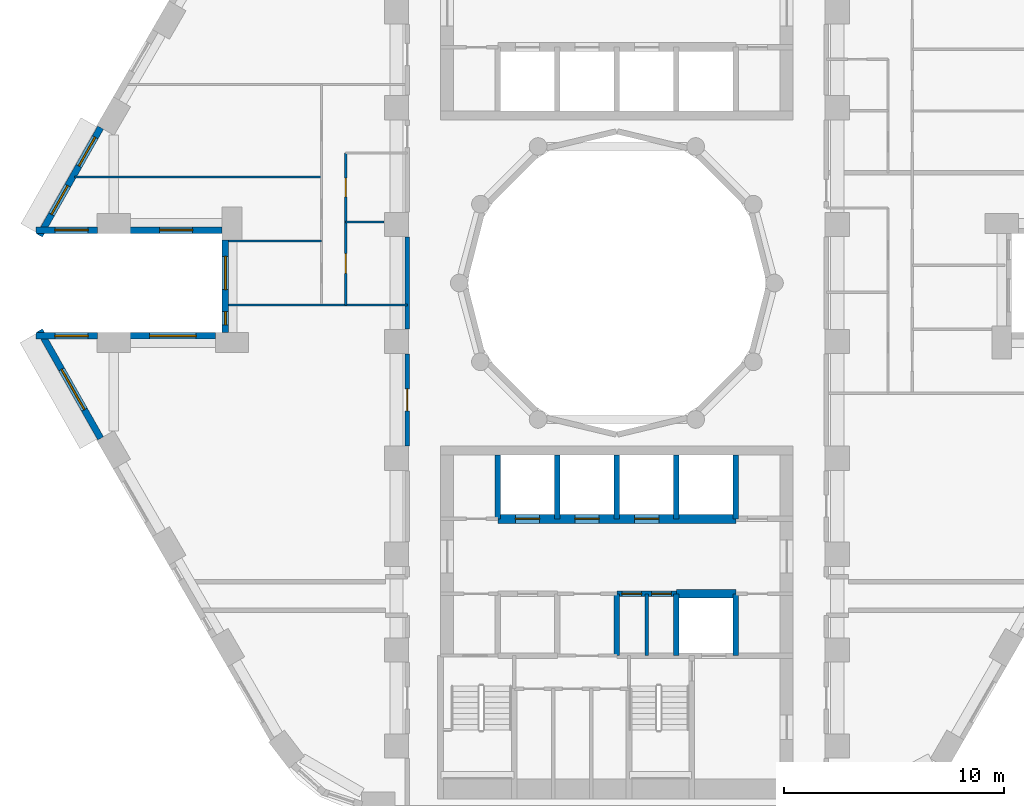
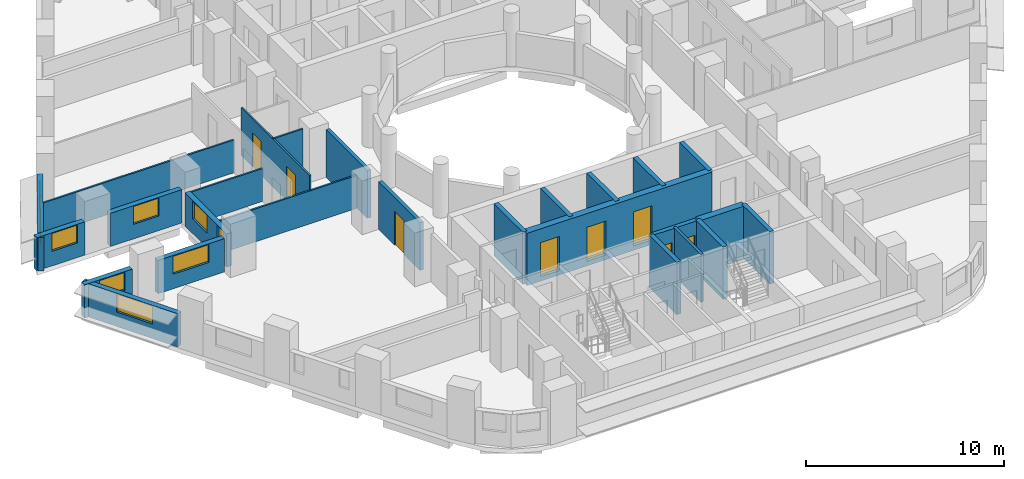
# One storey, part 4 of 13: 26 walls, 9 windows, 8 doors, 17 openings.
"""IFC4 building model written with IfcOpenShell, lengths in metres."""

from ifc_helpers import new_model, si_unit, direction, frame, frame_2d, origin, place, context, subcontext, project, spatial, rectangle, extrude, material, layer, layer_set, type_object, element, fill, save


model = new_model("IFC4")

# Units and contexts
model_context = context("Model", 3, precision=1e-05, world=origin(), true_north=direction((0.0, 1.0)))
body_context = subcontext(model_context, "Body", "Model", "MODEL_VIEW")
ifc_project = project(units=[si_unit("LENGTHUNIT", "METRE"), si_unit("AREAUNIT", "SQUARE_METRE"), si_unit("VOLUMEUNIT", "CUBIC_METRE"), si_unit("PLANEANGLEUNIT", "RADIAN"), si_unit("MASSUNIT", "GRAM", prefix="KILO")], contexts=[model_context])

# Site, building, storey
site_placement = place(None, origin())
site = spatial("IfcSite", under=ifc_project, at=site_placement, CompositionType="ELEMENT")
building_placement = place(site_placement, origin())
building = spatial("IfcBuilding", under=site, at=building_placement, Name="Nakaniwa Court", CompositionType="ELEMENT")
storey_placement = place(building_placement, frame((0.0, 0.0, 67.800048828125)))
storey = spatial("IfcBuildingStorey", under=building, at=storey_placement, Name="L18", CompositionType="ELEMENT", Elevation=67.800048828125)

# Wall, opening, door
ifc_material_1 = material(Name="Acoustic double stud partition")
ifc_layer_1 = layer(ifc_material_1, 0.199951171875)
ifc_layer_set_1 = layer_set([ifc_layer_1], Name="Acoustic double stud partition")
wall_type_1 = type_object("IfcWallType", Name="Acoustic double stud partition 200", PredefinedType="PARTITIONING", material=ifc_layer_set_1)
wall_1_placement = place(storey_placement, frame((70.5, 72.616943359375, 0.0), z_axis=(0.0, 0.0, 1.0), x_axis=(0.0, 1.0, 0.0)))
wall_1 = element("IfcWall", 1, at=wall_1_placement, inside=storey, type_object=wall_type_1, Name="Partition PW-105", PredefinedType="PARTITIONING", context=body_context, shape_type="SweptSolid", body=[
    extrude(rectangle(XDim=4.166015625, YDim=0.199951171875, at=frame_2d((2.0830078125, 0.0))), origin(), (0.0, 0.0, 1.0), 2.949951171875),
])
opening_1_placement = place(wall_1_placement, frame((1.5830078125, 0.0, 0.0)))
opening_1 = element("IfcOpeningElement", 2, at=opening_1_placement, cuts=wall_1, Name="Opening D-02-05", PredefinedType="OPENING", context=body_context, shape_type="SweptSolid", body=[
    extrude(rectangle(XDim=1.0, YDim=2.10009765625, at=frame_2d((0.5, 1.050048828125))), frame((0.0, 0.10986328125, 0.0), z_axis=(0.0, -1.0, 0.0), x_axis=(1.0, 0.0, 0.0)), (0.0, 0.0, 1.0), 0.219970703125),
])
ifc_material_2 = material(Name="Solid core timber door set, black veneer", Category="wood")
door_type_1 = type_object("IfcDoorType", Name="Internal door 1000", OperationType="NOTDEFINED", PredefinedType="DOOR", material=ifc_material_2)
door_1_placement = place(opening_1_placement, origin())
door_1 = element("IfcDoor", 3, at=door_1_placement, inside=storey, type_object=door_type_1, Name="Door D-02-05 L18-045", OperationType="SINGLE_SWING_RIGHT", OverallHeight=2.10009765625, OverallWidth=1.0, PredefinedType="DOOR", context=body_context, shape_type="SweptSolid", body=[
    extrude(rectangle(XDim=1.0, YDim=2.10009765625, at=frame_2d((0.5, 1.050048828125))), frame((0.0, 0.02490234375, 0.0), z_axis=(0.0, -1.0, 0.0), x_axis=(1.0, 0.0, 0.0)), (0.0, 0.0, 1.0), 0.050048828125),
])
fill(opening_1, door_1)

# Wall
wall_2_placement = place(storey_placement, frame((70.5, 77.9169921875, 0.0), z_axis=(0.0, 0.0, 1.0), x_axis=(0.0, 1.0, 0.0)))
element("IfcWall", 4, at=wall_2_placement, inside=storey, type_object=wall_type_1, Name="Partition PW-106", PredefinedType="PARTITIONING", context=body_context, shape_type="SweptSolid", body=[
    extrude(rectangle(XDim=4.166015625, YDim=0.199951171875, at=frame_2d((2.0830078125, 0.0))), origin(), (0.0, 0.0, 1.0), 2.949951171875),
])

# Wall, openings, windows
ifc_material_3 = material(Name="Charcoal ceramic cladding")
ifc_layer_2 = layer(ifc_material_3, 0.02, Name="Ceramic cladding")
ifc_material_4 = material(Name="Ventilated air cavity")
ifc_layer_3 = layer(ifc_material_4, 0.04, ventilated=True, Name="Ventilated cavity")
ifc_material_5 = material(Name="Mineral wool insulation")
ifc_layer_4 = layer(ifc_material_5, 0.1, Name="Insulation")
ifc_material_6 = material(Name="Cement bonded sheathing board")
ifc_layer_5 = layer(ifc_material_6, 0.012, Name="Sheathing")
ifc_material_7 = material(Name="Cold-formed galvanised stud frame with mineral wool infill")
ifc_layer_6 = layer(ifc_material_7, 0.1, Name="Stud frame")
ifc_material_8 = material(Name="Fire-rated gypsum plasterboard lining")
ifc_layer_7 = layer(ifc_material_8, 0.028, Name="Lining")
ifc_layer_set_2 = layer_set([ifc_layer_2, ifc_layer_3, ifc_layer_4, ifc_layer_5, ifc_layer_6, ifc_layer_7], Name="Charcoal ceramic faced external wall system")
wall_type_2 = type_object("IfcWallType", Name="Black ceramic faced external wall 300", PredefinedType="SOLIDWALL", material=ifc_layer_set_2)
wall_3_placement = place(storey_placement, frame((56.584228515625, 87.050537109375, 0.0), z_axis=(0.0, 0.0, 1.0), x_axis=(-0.492363204642, -0.870389840655, 0.0)))
wall_3 = element("IfcWall", 5, at=wall_3_placement, inside=storey, type_object=wall_type_2, Name="L18 external wall 14", PredefinedType="SOLIDWALL", context=body_context, shape_type="SweptSolid", body=[
    extrude(rectangle(XDim=5.62646484375, YDim=0.300048828125, at=frame_2d((2.813232421875, 0.0))), origin(), (0.0, 0.0, 1.0), 2.050048828125),
])
opening_2_placement = place(wall_3_placement, frame((0.50390625, 0.0, 0.89990234375)))
opening_2 = element("IfcOpeningElement", 6, at=opening_2_placement, cuts=wall_3, Name="Opening W5.14", PredefinedType="OPENING", context=body_context, shape_type="SweptSolid", body=[
    extrude(rectangle(XDim=1.5, YDim=1.10009765625, at=frame_2d((0.75, 0.550048828125))), frame((0.0, 0.159912109375, 0.0), z_axis=(0.0, -1.0, 0.0), x_axis=(1.0, 0.0, 0.0)), (0.0, 0.0, 1.0), 0.320068359375),
])
opening_3_placement = place(wall_3_placement, frame((3.0283203125, 0.0, 0.89990234375)))
opening_3 = element("IfcOpeningElement", 7, at=opening_3_placement, cuts=wall_3, Name="Opening W5.15", PredefinedType="OPENING", context=body_context, shape_type="SweptSolid", body=[
    extrude(rectangle(XDim=1.5, YDim=1.10009765625, at=frame_2d((0.75, 0.550048828125))), frame((0.0, 0.159912109375, 0.0), z_axis=(0.0, -1.0, 0.0), x_axis=(1.0, 0.0, 0.0)), (0.0, 0.0, 1.0), 0.320068359375),
])
ifc_material_9 = material(Name="Black anodised aluminium frame with dark low-E laminated double glazing", Category="aluminium")
window_type_1 = type_object("IfcWindowType", Name="Dark glass window 1500x1100 sill 900", PartitioningType="SINGLE_PANEL", PredefinedType="WINDOW", material=ifc_material_9)
window_1_placement = place(opening_2_placement, origin())
window_1 = element("IfcWindow", 8, at=window_1_placement, inside=storey, type_object=window_type_1, Name="L18 living window 14-0", OverallHeight=1.10009765625, OverallWidth=1.5, PartitioningType="SINGLE_PANEL", PredefinedType="WINDOW", context=body_context, shape_type="SweptSolid", body=[
    extrude(rectangle(XDim=1.5, YDim=1.10009765625, at=frame_2d((0.75, 0.550048828125))), frame((0.0, 0.030029296875, 0.0), z_axis=(0.0, -1.0, 0.0), x_axis=(1.0, 0.0, 0.0)), (0.0, 0.0, 1.0), 0.06005859375),
])
fill(opening_2, window_1)
window_2_placement = place(opening_3_placement, origin())
window_2 = element("IfcWindow", 9, at=window_2_placement, inside=storey, type_object=window_type_1, Name="L18 bedroom window 14-1", OverallHeight=1.10009765625, OverallWidth=1.5, PartitioningType="SINGLE_PANEL", PredefinedType="WINDOW", context=body_context, shape_type="SweptSolid", body=[
    extrude(rectangle(XDim=1.5, YDim=1.10009765625, at=frame_2d((0.75, 0.550048828125))), frame((0.0, 0.030029296875, 0.0), z_axis=(0.0, -1.0, 0.0), x_axis=(1.0, 0.0, 0.0)), (0.0, 0.0, 1.0), 0.06005859375),
])
fill(opening_3, window_2)

# Wall, opening, window
wall_4_placement = place(storey_placement, frame((53.643310546875, 82.39990234375, 0.0), z_axis=(0.0, 0.0, 1.0), x_axis=(1.0, 0.0, 0.0)))
wall_4 = element("IfcWall", 10, at=wall_4_placement, inside=storey, type_object=wall_type_2, Name="L18 external wall 15", PredefinedType="SOLIDWALL", context=body_context, shape_type="SweptSolid", body=[
    extrude(rectangle(XDim=2.787841796875, YDim=0.300048828125, at=frame_2d((1.39404296875, 0.0))), origin(), (0.0, 0.0, 1.0), 2.050048828125),
])
opening_4_placement = place(wall_4_placement, frame((0.868896484375, 0.0, 0.89990234375)))
opening_4 = element("IfcOpeningElement", 11, at=opening_4_placement, cuts=wall_4, Name="Opening W5.16", PredefinedType="OPENING", context=body_context, shape_type="SweptSolid", body=[
    extrude(rectangle(XDim=1.5, YDim=1.10009765625, at=frame_2d((0.75, 0.550048828125))), frame((0.0, 0.159912109375, 0.0), z_axis=(0.0, -1.0, 0.0), x_axis=(1.0, 0.0, 0.0)), (0.0, 0.0, 1.0), 0.320068359375),
])
window_3_placement = place(opening_4_placement, origin())
window_3 = element("IfcWindow", 12, at=window_3_placement, inside=storey, type_object=window_type_1, Name="L18 bedroom window 15-0", OverallHeight=1.10009765625, OverallWidth=1.5, PartitioningType="SINGLE_PANEL", PredefinedType="WINDOW", context=body_context, shape_type="SweptSolid", body=[
    extrude(rectangle(XDim=1.5, YDim=1.10009765625, at=frame_2d((0.75, 0.550048828125))), frame((0.0, 0.030029296875, 0.0), z_axis=(0.0, -1.0, 0.0), x_axis=(1.0, 0.0, 0.0)), (0.0, 0.0, 1.0), 0.06005859375),
])
fill(opening_4, window_3)

wall_5_placement = place(storey_placement, frame((57.923095703125, 82.39990234375, 0.0), z_axis=(0.0, 0.0, 1.0), x_axis=(1.0, 0.0, 0.0)))
wall_5 = element("IfcWall", 13, at=wall_5_placement, inside=storey, type_object=wall_type_2, Name="L18 external wall 16", PredefinedType="SOLIDWALL", context=body_context, shape_type="SweptSolid", body=[
    extrude(rectangle(XDim=4.172607421875, YDim=0.300048828125, at=frame_2d((2.08642578125, 0.0))), origin(), (0.0, 0.0, 1.0), 2.050048828125),
])
opening_5_placement = place(wall_5_placement, frame((1.336181640625, 0.0, 0.89990234375)))
opening_5 = element("IfcOpeningElement", 14, at=opening_5_placement, cuts=wall_5, Name="Opening W5.17", PredefinedType="OPENING", context=body_context, shape_type="SweptSolid", body=[
    extrude(rectangle(XDim=1.5, YDim=1.10009765625, at=frame_2d((0.75, 0.550048828125))), frame((0.0, 0.159912109375, 0.0), z_axis=(0.0, -1.0, 0.0), x_axis=(1.0, 0.0, 0.0)), (0.0, 0.0, 1.0), 0.320068359375),
])
window_4_placement = place(opening_5_placement, origin())
window_4 = element("IfcWindow", 15, at=window_4_placement, inside=storey, type_object=window_type_1, Name="L18 bedroom window 16-0", OverallHeight=1.10009765625, OverallWidth=1.5, PartitioningType="SINGLE_PANEL", PredefinedType="WINDOW", context=body_context, shape_type="SweptSolid", body=[
    extrude(rectangle(XDim=1.5, YDim=1.10009765625, at=frame_2d((0.75, 0.550048828125))), frame((0.0, 0.030029296875, 0.0), z_axis=(0.0, -1.0, 0.0), x_axis=(1.0, 0.0, 0.0)), (0.0, 0.0, 1.0), 0.06005859375),
])
fill(opening_5, window_4)

# Wall, openings, windows
wall_6_placement = place(storey_placement, frame((62.24169921875, 81.9541015625, 0.0), z_axis=(0.0, 0.0, 1.0), x_axis=(0.0, -1.0, 0.0)))
wall_6 = element("IfcWall", 16, at=wall_6_placement, inside=storey, type_object=wall_type_2, Name="L18 external wall 17", PredefinedType="SOLIDWALL", context=body_context, shape_type="SweptSolid", body=[
    extrude(rectangle(XDim=4.2080078125, YDim=0.300048828125, at=frame_2d((2.10400390625, 0.0))), origin(), (0.0, 0.0, 1.0), 2.050048828125),
])
opening_6_placement = place(wall_6_placement, frame((0.75244140625, 0.0, 0.89990234375)))
opening_6 = element("IfcOpeningElement", 17, at=opening_6_placement, cuts=wall_6, Name="Opening W5.18", PredefinedType="OPENING", context=body_context, shape_type="SweptSolid", body=[
    extrude(rectangle(XDim=1.5, YDim=1.10009765625, at=frame_2d((0.75, 0.550048828125))), frame((0.0, 0.159912109375, 0.0), z_axis=(0.0, -1.0, 0.0), x_axis=(1.0, 0.0, 0.0)), (0.0, 0.0, 1.0), 0.320068359375),
])
opening_7_placement = place(wall_6_placement, frame((3.256103515625, 0.0, 0.89990234375)))
opening_7 = element("IfcOpeningElement", 18, at=opening_7_placement, cuts=wall_6, Name="Opening W8.19", PredefinedType="OPENING", context=body_context, shape_type="SweptSolid", body=[
    extrude(rectangle(XDim=0.60009765625, YDim=1.10009765625, at=frame_2d((0.300048828125, 0.550048828125))), frame((0.0, 0.159912109375, 0.0), z_axis=(0.0, -1.0, 0.0), x_axis=(1.0, 0.0, 0.0)), (0.0, 0.0, 1.0), 0.320068359375),
])
window_5_placement = place(opening_6_placement, origin())
window_5 = element("IfcWindow", 19, at=window_5_placement, inside=storey, type_object=window_type_1, Name="L18 bedroom window 17-0", OverallHeight=1.10009765625, OverallWidth=1.5, PartitioningType="SINGLE_PANEL", PredefinedType="WINDOW", context=body_context, shape_type="SweptSolid", body=[
    extrude(rectangle(XDim=1.5, YDim=1.10009765625, at=frame_2d((0.75, 0.550048828125))), frame((0.0, 0.030029296875, 0.0), z_axis=(0.0, -1.0, 0.0), x_axis=(1.0, 0.0, 0.0)), (0.0, 0.0, 1.0), 0.06005859375),
])
fill(opening_6, window_5)
window_type_2 = type_object("IfcWindowType", Name="Dark glass window 600x1100 sill 900", PartitioningType="SINGLE_PANEL", PredefinedType="WINDOW", material=ifc_material_9)
window_6_placement = place(opening_7_placement, origin())
window_6 = element("IfcWindow", 20, at=window_6_placement, inside=storey, type_object=window_type_2, Name="L18 habitable room window 17-1", OverallHeight=1.10009765625, OverallWidth=0.60009765625, PartitioningType="SINGLE_PANEL", PredefinedType="WINDOW", context=body_context, shape_type="SweptSolid", body=[
    extrude(rectangle(XDim=0.60009765625, YDim=1.10009765625, at=frame_2d((0.300048828125, 0.550048828125))), frame((0.0, 0.030029296875, 0.0), z_axis=(0.0, -1.0, 0.0), x_axis=(1.0, 0.0, 0.0)), (0.0, 0.0, 1.0), 0.06005859375),
])
fill(opening_7, window_6)

# Wall, opening, window
wall_7_placement = place(storey_placement, frame((61.795654296875, 77.60009765625, 0.0), z_axis=(0.0, 0.0, 1.0), x_axis=(-1.0, 0.0, 0.0)))
wall_7 = element("IfcWall", 21, at=wall_7_placement, inside=storey, type_object=wall_type_2, Name="L18 external wall 18", PredefinedType="SOLIDWALL", context=body_context, shape_type="SweptSolid", body=[
    extrude(rectangle(XDim=3.87255859375, YDim=0.300048828125, at=frame_2d((1.936279296875, 0.0))), origin(), (0.0, 0.0, 1.0), 2.050048828125),
])
opening_8_placement = place(wall_7_placement, frame((0.88623046875, 0.0, 0.89990234375)))
opening_8 = element("IfcOpeningElement", 22, at=opening_8_placement, cuts=wall_7, Name="Opening W7.20", PredefinedType="OPENING", context=body_context, shape_type="SweptSolid", body=[
    extrude(rectangle(XDim=2.10009765625, YDim=1.10009765625, at=frame_2d((1.050048828125, 0.550048828125))), frame((0.0, 0.159912109375, 0.0), z_axis=(0.0, -1.0, 0.0), x_axis=(1.0, 0.0, 0.0)), (0.0, 0.0, 1.0), 0.320068359375),
])
window_type_3 = type_object("IfcWindowType", Name="Dark glass window 2100x1100 sill 900", PartitioningType="SINGLE_PANEL", PredefinedType="WINDOW", material=ifc_material_9)
window_7_placement = place(opening_8_placement, origin())
window_7 = element("IfcWindow", 23, at=window_7_placement, inside=storey, type_object=window_type_3, Name="L18 habitable room window 18-0", OverallHeight=1.10009765625, OverallWidth=2.10009765625, PartitioningType="SINGLE_PANEL", PredefinedType="WINDOW", context=body_context, shape_type="SweptSolid", body=[
    extrude(rectangle(XDim=2.10009765625, YDim=1.10009765625, at=frame_2d((1.050048828125, 0.550048828125))), frame((0.0, 0.030029296875, 0.0), z_axis=(0.0, -1.0, 0.0), x_axis=(1.0, 0.0, 0.0)), (0.0, 0.0, 1.0), 0.06005859375),
])
fill(opening_8, window_7)

wall_8_placement = place(storey_placement, frame((56.43115234375, 77.60009765625, 0.0), z_axis=(0.0, 0.0, 1.0), x_axis=(-1.0, 0.0, 0.0)))
wall_8 = element("IfcWall", 24, at=wall_8_placement, inside=storey, type_object=wall_type_2, Name="L18 external wall 19", PredefinedType="SOLIDWALL", context=body_context, shape_type="SweptSolid", body=[
    extrude(rectangle(XDim=2.787841796875, YDim=0.300048828125, at=frame_2d((1.39404296875, 0.0))), origin(), (0.0, 0.0, 1.0), 2.050048828125),
])
opening_9_placement = place(wall_8_placement, frame((0.4189453125, 0.0, 0.89990234375)))
opening_9 = element("IfcOpeningElement", 25, at=opening_9_placement, cuts=wall_8, Name="Opening W5.21", PredefinedType="OPENING", context=body_context, shape_type="SweptSolid", body=[
    extrude(rectangle(XDim=1.5, YDim=1.10009765625, at=frame_2d((0.75, 0.550048828125))), frame((0.0, 0.159912109375, 0.0), z_axis=(0.0, -1.0, 0.0), x_axis=(1.0, 0.0, 0.0)), (0.0, 0.0, 1.0), 0.320068359375),
])
window_8_placement = place(opening_9_placement, origin())
window_8 = element("IfcWindow", 26, at=window_8_placement, inside=storey, type_object=window_type_1, Name="L18 habitable room window 19-0", OverallHeight=1.10009765625, OverallWidth=1.5, PartitioningType="SINGLE_PANEL", PredefinedType="WINDOW", context=body_context, shape_type="SweptSolid", body=[
    extrude(rectangle(XDim=1.5, YDim=1.10009765625, at=frame_2d((0.75, 0.550048828125))), frame((0.0, 0.030029296875, 0.0), z_axis=(0.0, -1.0, 0.0), x_axis=(1.0, 0.0, 0.0)), (0.0, 0.0, 1.0), 0.06005859375),
])
fill(opening_9, window_8)

wall_9_placement = place(storey_placement, frame((53.81396484375, 77.8466796875, 0.0), z_axis=(0.0, 0.0, 1.0), x_axis=(0.492363204642, -0.870389840655, 0.0)))
wall_9 = element("IfcWall", 27, at=wall_9_placement, inside=storey, type_object=wall_type_2, Name="L18 external wall 20", PredefinedType="SOLIDWALL", context=body_context, shape_type="SweptSolid", body=[
    extrude(rectangle(XDim=5.62646484375, YDim=0.300048828125, at=frame_2d((2.813232421875, 0.0))), origin(), (0.0, 0.0, 1.0), 2.050048828125),
])
opening_10_placement = place(wall_9_placement, frame((2.0263671875, 0.0, 0.89990234375)))
opening_10 = element("IfcOpeningElement", 28, at=opening_10_placement, cuts=wall_9, Name="Opening W7.22", PredefinedType="OPENING", context=body_context, shape_type="SweptSolid", body=[
    extrude(rectangle(XDim=2.10009765625, YDim=1.10009765625, at=frame_2d((1.050048828125, 0.550048828125))), frame((0.0, 0.159912109375, 0.0), z_axis=(0.0, -1.0, 0.0), x_axis=(1.0, 0.0, 0.0)), (0.0, 0.0, 1.0), 0.320068359375),
])
window_9_placement = place(opening_10_placement, origin())
window_9 = element("IfcWindow", 29, at=window_9_placement, inside=storey, type_object=window_type_3, Name="L18 habitable room window 20-0", OverallHeight=1.10009765625, OverallWidth=2.10009765625, PartitioningType="SINGLE_PANEL", PredefinedType="WINDOW", context=body_context, shape_type="SweptSolid", body=[
    extrude(rectangle(XDim=2.10009765625, YDim=1.10009765625, at=frame_2d((1.050048828125, 0.550048828125))), frame((0.0, 0.030029296875, 0.0), z_axis=(0.0, -1.0, 0.0), x_axis=(1.0, 0.0, 0.0)), (0.0, 0.0, 1.0), 0.06005859375),
])
fill(opening_10, window_9)

# Wall
ifc_material_10 = material(Name="Blockwork partition", Category="masonry")
ifc_layer_8 = layer(ifc_material_10, 0.14990234375)
ifc_layer_set_3 = layer_set([ifc_layer_8], Name="Blockwork partition")
wall_type_3 = type_object("IfcWallType", Name="Blockwork partition 150", PredefinedType="PARTITIONING", material=ifc_layer_set_3)
wall_10_placement = place(storey_placement, frame((81.35009765625, 63.10009765625, 0.0), z_axis=(0.0, 0.0, 1.0), x_axis=(0.0, 1.0, 0.0)))
element("IfcWall", 30, at=wall_10_placement, inside=storey, type_object=wall_type_3, Name="Partition PW-061", PredefinedType="PARTITIONING", context=body_context, shape_type="SweptSolid", body=[
    extrude(rectangle(XDim=2.7998046875, YDim=0.14990234375, at=frame_2d((1.39990234375, 0.0))), origin(), (0.0, 0.0, 1.0), 2.949951171875),
])

# Wall, openings, doors
ifc_material_11 = material(Name="Concrete C100/115", Category="concrete")
ifc_layer_9 = layer(ifc_material_11, 0.39990234375)
ifc_layer_set_4 = layer_set([ifc_layer_9], Name="Concrete C100/115")
wall_type_4 = type_object("IfcWallType", Name="Concrete core spine wall 400 C100", PredefinedType="SHEAR", material=ifc_layer_set_4)
wall_11_placement = place(storey_placement, frame((74.60009765625, 69.300048828125, -0.275146484375), z_axis=(0.0, 0.0, 1.0), x_axis=(1.0, 0.0, 0.0)))
wall_11 = element("IfcWall", 31, at=wall_11_placement, inside=storey, type_object=wall_type_4, Name="Core wall SW-42", PredefinedType="SHEAR", context=body_context, shape_type="SweptSolid", body=[
    extrude(rectangle(XDim=10.7998046875, YDim=0.39990234375, at=frame_2d((5.39990234375, 0.0))), origin(), (0.0, 0.0, 1.0), 3.22509765625),
])
opening_11_placement = place(wall_11_placement, frame((0.800048828125, 0.0, 0.27490234375)))
opening_11 = element("IfcOpeningElement", 32, at=opening_11_placement, cuts=wall_11, Name="Opening LD05", PredefinedType="OPENING", context=body_context, shape_type="SweptSolid", body=[
    extrude(rectangle(XDim=1.10009765625, YDim=2.10009765625, at=frame_2d((0.550048828125, 1.050048828125))), frame((0.0, 0.2099609375, 0.0), z_axis=(0.0, -1.0, 0.0), x_axis=(1.0, 0.0, 0.0)), (0.0, 0.0, 1.0), 0.419921875),
])
opening_12_placement = place(wall_11_placement, frame((3.5, 0.0, 0.27490234375)))
opening_12 = element("IfcOpeningElement", 33, at=opening_12_placement, cuts=wall_11, Name="Opening LD06", PredefinedType="OPENING", context=body_context, shape_type="SweptSolid", body=[
    extrude(rectangle(XDim=1.10009765625, YDim=2.10009765625, at=frame_2d((0.550048828125, 1.050048828125))), frame((0.0, 0.2099609375, 0.0), z_axis=(0.0, -1.0, 0.0), x_axis=(1.0, 0.0, 0.0)), (0.0, 0.0, 1.0), 0.419921875),
])
opening_13_placement = place(wall_11_placement, frame((6.199951171875, 0.0, 0.27490234375)))
opening_13 = element("IfcOpeningElement", 34, at=opening_13_placement, cuts=wall_11, Name="Opening LD07", PredefinedType="OPENING", context=body_context, shape_type="SweptSolid", body=[
    extrude(rectangle(XDim=1.10009765625, YDim=2.10009765625, at=frame_2d((0.550048828125, 1.050048828125))), frame((0.0, 0.2099609375, 0.0), z_axis=(0.0, -1.0, 0.0), x_axis=(1.0, 0.0, 0.0)), (0.0, 0.0, 1.0), 0.419921875),
])
ifc_material_12 = material(Name="Stainless steel sliding lift landing door", Category="steel")
door_type_2 = type_object("IfcDoorType", Name="Lift landing door 1100", OperationType="NOTDEFINED", PredefinedType="DOOR", material=ifc_material_12)
door_2_placement = place(opening_11_placement, origin())
door_2 = element("IfcDoor", 35, at=door_2_placement, inside=storey, type_object=door_type_2, Name="Lift landing door LD05 L18-005", OperationType="SLIDING_TO_LEFT", OverallHeight=2.10009765625, OverallWidth=1.10009765625, PredefinedType="DOOR", context=body_context, shape_type="SweptSolid", body=[
    extrude(rectangle(XDim=1.10009765625, YDim=2.10009765625, at=frame_2d((0.550048828125, 1.050048828125))), frame((0.0, 0.02490234375, 0.0), z_axis=(0.0, -1.0, 0.0), x_axis=(1.0, 0.0, 0.0)), (0.0, 0.0, 1.0), 0.050048828125),
])
fill(opening_11, door_2)
door_3_placement = place(opening_12_placement, origin())
door_3 = element("IfcDoor", 36, at=door_3_placement, inside=storey, type_object=door_type_2, Name="Lift landing door LD06 L18-006", OperationType="SLIDING_TO_LEFT", OverallHeight=2.10009765625, OverallWidth=1.10009765625, PredefinedType="DOOR", context=body_context, shape_type="SweptSolid", body=[
    extrude(rectangle(XDim=1.10009765625, YDim=2.10009765625, at=frame_2d((0.550048828125, 1.050048828125))), frame((0.0, 0.02490234375, 0.0), z_axis=(0.0, -1.0, 0.0), x_axis=(1.0, 0.0, 0.0)), (0.0, 0.0, 1.0), 0.050048828125),
])
fill(opening_12, door_3)
door_4_placement = place(opening_13_placement, origin())
door_4 = element("IfcDoor", 37, at=door_4_placement, inside=storey, type_object=door_type_2, Name="Lift landing door LD07 L18-007", OperationType="SLIDING_TO_LEFT", OverallHeight=2.10009765625, OverallWidth=1.10009765625, PredefinedType="DOOR", context=body_context, shape_type="SweptSolid", body=[
    extrude(rectangle(XDim=1.10009765625, YDim=2.10009765625, at=frame_2d((0.550048828125, 1.050048828125))), frame((0.0, 0.02490234375, 0.0), z_axis=(0.0, -1.0, 0.0), x_axis=(1.0, 0.0, 0.0)), (0.0, 0.0, 1.0), 0.050048828125),
])
fill(opening_13, door_4)

# Walls
wall_12_placement = place(storey_placement, frame((82.697021484375, 65.89990234375, -0.275146484375), z_axis=(0.0, 0.0, 1.0), x_axis=(1.0, 0.0, 0.0)))
element("IfcWall", 38, at=wall_12_placement, inside=storey, type_object=wall_type_4, Name="Core wall SW-56", PredefinedType="SHEAR", context=body_context, shape_type="SweptSolid", body=[
    extrude(rectangle(XDim=2.7060546875, YDim=0.39990234375, at=frame_2d((1.35302734375, 0.0))), origin(), (0.0, 0.0, 1.0), 3.22509765625),
])
ifc_layer_10 = layer(ifc_material_11, 0.25)
ifc_layer_set_5 = layer_set([ifc_layer_10], Name="Concrete C100/115")
wall_type_5 = type_object("IfcWallType", Name="Concrete shaft wall 250 C100", PredefinedType="SHEAR", material=ifc_layer_set_5)
for number, where, z_axis, x_axis, name in (
    (39, (74.60009765625, 69.300048828125, -0.275146484375), (0.0, 0.0, 1.0), (0.0, 1.0, 0.0), "Core wall SW-37"),
    (40, (77.300048828125, 69.300048828125, -0.275146484375), (0.0, 0.0, 1.0), (0.0, 1.0, 0.0), "Core wall SW-41"),
):
    element("IfcWall", number, at=place(storey_placement, frame(where, z_axis=z_axis, x_axis=x_axis)), inside=storey, type_object=wall_type_5, Name=name, PredefinedType="SHEAR", context=body_context, shape_type="SweptSolid", body=[
        extrude(rectangle(XDim=2.89990234375, YDim=0.25, at=frame_2d((1.449951171875, 0.0))), origin(), (0.0, 0.0, 1.0), 3.22509765625),
    ])
wall_13_placement = place(storey_placement, frame((80.0, 63.10009765625, -0.275146484375), z_axis=(0.0, 0.0, 1.0), x_axis=(0.0, 1.0, 0.0)))
element("IfcWall", 41, at=wall_13_placement, inside=storey, type_object=wall_type_5, Name="Core wall SW-43", PredefinedType="SHEAR", context=body_context, shape_type="SweptSolid", body=[
    extrude(rectangle(XDim=2.7998046875, YDim=0.25, at=frame_2d((1.39990234375, 0.0))), origin(), (0.0, 0.0, 1.0), 3.22509765625),
])
wall_14_placement = place(storey_placement, frame((80.0, 69.300048828125, -0.275146484375), z_axis=(0.0, 0.0, 1.0), x_axis=(0.0, 1.0, 0.0)))
element("IfcWall", 42, at=wall_14_placement, inside=storey, type_object=wall_type_5, Name="Core wall SW-44", PredefinedType="SHEAR", context=body_context, shape_type="SweptSolid", body=[
    extrude(rectangle(XDim=2.89990234375, YDim=0.25, at=frame_2d((1.449951171875, 0.0))), origin(), (0.0, 0.0, 1.0), 3.22509765625),
])
wall_15_placement = place(storey_placement, frame((82.699951171875, 63.10009765625, -0.275146484375), z_axis=(0.0, 0.0, 1.0), x_axis=(0.0, 1.0, 0.0)))
element("IfcWall", 43, at=wall_15_placement, inside=storey, type_object=wall_type_5, Name="Core wall SW-45", PredefinedType="SHEAR", context=body_context, shape_type="SweptSolid", body=[
    extrude(rectangle(XDim=2.7998046875, YDim=0.25, at=frame_2d((1.39990234375, 0.0))), origin(), (0.0, 0.0, 1.0), 3.22509765625),
])
wall_16_placement = place(storey_placement, frame((82.699951171875, 69.300048828125, -0.275146484375), z_axis=(0.0, 0.0, 1.0), x_axis=(0.0, 1.0, 0.0)))
element("IfcWall", 44, at=wall_16_placement, inside=storey, type_object=wall_type_5, Name="Core wall SW-46", PredefinedType="SHEAR", context=body_context, shape_type="SweptSolid", body=[
    extrude(rectangle(XDim=2.89990234375, YDim=0.25, at=frame_2d((1.449951171875, 0.0))), origin(), (0.0, 0.0, 1.0), 3.22509765625),
])
wall_17_placement = place(storey_placement, frame((85.39990234375, 63.10009765625, -0.275146484375), z_axis=(0.0, 0.0, 1.0), x_axis=(0.0, 1.0, 0.0)))
element("IfcWall", 45, at=wall_17_placement, inside=storey, type_object=wall_type_5, Name="Core wall SW-47", PredefinedType="SHEAR", context=body_context, shape_type="SweptSolid", body=[
    extrude(rectangle(XDim=2.7998046875, YDim=0.25, at=frame_2d((1.39990234375, 0.0))), origin(), (0.0, 0.0, 1.0), 3.22509765625),
])
wall_18_placement = place(storey_placement, frame((85.39990234375, 69.300048828125, -0.275146484375), z_axis=(0.0, 0.0, 1.0), x_axis=(0.0, 1.0, 0.0)))
element("IfcWall", 46, at=wall_18_placement, inside=storey, type_object=wall_type_5, Name="Core wall SW-48", PredefinedType="SHEAR", context=body_context, shape_type="SweptSolid", body=[
    extrude(rectangle(XDim=2.89990234375, YDim=0.25, at=frame_2d((1.449951171875, 0.0))), origin(), (0.0, 0.0, 1.0), 3.22509765625),
])

# Wall, openings, doors
wall_19_placement = place(storey_placement, frame((82.702880859375, 65.89990234375, -0.275146484375), z_axis=(0.0, 0.0, 1.0), x_axis=(-1.0, 0.0, 0.0)))
wall_19 = element("IfcWall", 47, at=wall_19_placement, inside=storey, type_object=wall_type_5, Name="Core wall SW-55", PredefinedType="SHEAR", context=body_context, shape_type="SweptSolid", body=[
    extrude(rectangle(XDim=2.705810546875, YDim=0.25, at=frame_2d((1.35302734375, 0.0))), origin(), (0.0, 0.0, 1.0), 3.22509765625),
])
opening_14_placement = place(wall_19_placement, frame((1.577880859375, 0.0, 0.27490234375)))
opening_14 = element("IfcOpeningElement", 48, at=opening_14_placement, cuts=wall_19, Name="Opening D-05-13", PredefinedType="OPENING", context=body_context, shape_type="SweptSolid", body=[
    extrude(rectangle(XDim=0.89990234375, YDim=2.10009765625, at=frame_2d((0.449951171875, 1.050048828125))), frame((0.0, 0.135009765625, 0.0), z_axis=(0.0, -1.0, 0.0), x_axis=(1.0, 0.0, 0.0)), (0.0, 0.0, 1.0), 0.27001953125),
])
opening_15_placement = place(wall_19_placement, frame((0.22802734375, 0.0, 0.27490234375)))
opening_15 = element("IfcOpeningElement", 49, at=opening_15_placement, cuts=wall_19, Name="Opening D-05-14", PredefinedType="OPENING", context=body_context, shape_type="SweptSolid", body=[
    extrude(rectangle(XDim=0.89990234375, YDim=2.10009765625, at=frame_2d((0.449951171875, 1.050048828125))), frame((0.0, 0.135009765625, 0.0), z_axis=(0.0, -1.0, 0.0), x_axis=(1.0, 0.0, 0.0)), (0.0, 0.0, 1.0), 0.27001953125),
])
ifc_material_13 = material(Name="Fire rated steel door set", Category="steel")
door_type_3 = type_object("IfcDoorType", Name="Service room door 900", OperationType="NOTDEFINED", PredefinedType="DOOR", material=ifc_material_13)
door_5_placement = place(opening_14_placement, origin())
door_5 = element("IfcDoor", 50, at=door_5_placement, inside=storey, type_object=door_type_3, Name="Door D-05-13 L18-020", OperationType="SINGLE_SWING_LEFT", OverallHeight=2.10009765625, OverallWidth=0.89990234375, PredefinedType="DOOR", context=body_context, shape_type="SweptSolid", body=[
    extrude(rectangle(XDim=0.89990234375, YDim=2.10009765625, at=frame_2d((0.449951171875, 1.050048828125))), frame((0.0, 0.02490234375, 0.0), z_axis=(0.0, -1.0, 0.0), x_axis=(1.0, 0.0, 0.0)), (0.0, 0.0, 1.0), 0.050048828125),
])
fill(opening_14, door_5)
door_6_placement = place(opening_15_placement, origin())
door_6 = element("IfcDoor", 51, at=door_6_placement, inside=storey, type_object=door_type_3, Name="Door D-05-14 L18-021", OperationType="SINGLE_SWING_RIGHT", OverallHeight=2.10009765625, OverallWidth=0.89990234375, PredefinedType="DOOR", context=body_context, shape_type="SweptSolid", body=[
    extrude(rectangle(XDim=0.89990234375, YDim=2.10009765625, at=frame_2d((0.449951171875, 1.050048828125))), frame((0.0, 0.02490234375, 0.0), z_axis=(0.0, -1.0, 0.0), x_axis=(1.0, 0.0, 0.0)), (0.0, 0.0, 1.0), 0.050048828125),
])
fill(opening_15, door_6)

# Walls
ifc_material_14 = material(Name="Single stud plasterboard partition")
ifc_layer_11 = layer(ifc_material_14, 0.10009765625)
ifc_layer_set_6 = layer_set([ifc_layer_11], Name="Single stud plasterboard partition")
wall_type_6 = type_object("IfcWallType", Name="Single stud plasterboard partition 100", PredefinedType="PARTITIONING", material=ifc_layer_set_6)
wall_20_placement = place(storey_placement, frame((62.3916015625, 79.0, 0.0), z_axis=(0.0, 0.0, 1.0), x_axis=(1.0, 0.0, 0.0)))
element("IfcWall", 52, at=wall_20_placement, inside=storey, type_object=wall_type_6, Name="Partition PW-126", PredefinedType="PARTITIONING", context=body_context, shape_type="SweptSolid", body=[
    extrude(rectangle(XDim=8.1083984375, YDim=0.10009765625, at=frame_2d((4.05419921875, 0.0))), origin(), (0.0, 0.0, 1.0), 2.030029296875),
])
wall_21_placement = place(storey_placement, frame((67.699951171875, 82.763916015625, 0.0), z_axis=(0.0, 0.0, 1.0), x_axis=(1.0, 0.0, 0.0)))
element("IfcWall", 53, at=wall_21_placement, inside=storey, type_object=wall_type_6, Name="Partition PW-127", PredefinedType="PARTITIONING", context=body_context, shape_type="SweptSolid", body=[
    extrude(rectangle(XDim=1.72998046875, YDim=0.10009765625, at=frame_2d((0.864990234375, 0.0))), origin(), (0.0, 0.0, 1.0), 2.949951171875),
])

# Wall, openings, doors
wall_22_placement = place(storey_placement, frame((67.699951171875, 85.89990234375, 0.0), z_axis=(0.0, 0.0, 1.0), x_axis=(0.0, -1.0, 0.0)))
wall_22 = element("IfcWall", 54, at=wall_22_placement, inside=storey, type_object=wall_type_6, Name="Partition PW-128", PredefinedType="PARTITIONING", context=body_context, shape_type="SweptSolid", body=[
    extrude(rectangle(XDim=6.89990234375, YDim=0.10009765625, at=frame_2d((3.449951171875, 0.0))), origin(), (0.0, 0.0, 1.0), 2.949951171875),
])
opening_16_placement = place(wall_22_placement, frame((4.568115234375, 0.0, 0.0)))
opening_16 = element("IfcOpeningElement", 55, at=opening_16_placement, cuts=wall_22, Name="Opening D-33-09", PredefinedType="OPENING", context=body_context, shape_type="SweptSolid", body=[
    extrude(rectangle(XDim=0.89990234375, YDim=2.10009765625, at=frame_2d((0.449951171875, 1.050048828125))), frame((0.0, 0.06005859375, 0.0), z_axis=(0.0, -1.0, 0.0), x_axis=(1.0, 0.0, 0.0)), (0.0, 0.0, 1.0), 0.1201171875),
])
opening_17_placement = place(wall_22_placement, frame((1.14306640625, 0.0, 0.0)))
opening_17 = element("IfcOpeningElement", 56, at=opening_17_placement, cuts=wall_22, Name="Opening D-03-03", PredefinedType="OPENING", context=body_context, shape_type="SweptSolid", body=[
    extrude(rectangle(XDim=0.85009765625, YDim=2.10009765625, at=frame_2d((0.425048828125, 1.050048828125))), frame((0.0, 0.06005859375, 0.0), z_axis=(0.0, -1.0, 0.0), x_axis=(1.0, 0.0, 0.0)), (0.0, 0.0, 1.0), 0.1201171875),
])
ifc_material_15 = material(Name="Moisture sealed timber door set", Category="wood")
door_type_4 = type_object("IfcDoorType", Name="Bathroom door 850", OperationType="NOTDEFINED", PredefinedType="DOOR", material=ifc_material_15)
door_7_placement = place(opening_17_placement, origin())
door_7 = element("IfcDoor", 57, at=door_7_placement, inside=storey, type_object=door_type_4, Name="Door D-03-03 L18-048", OperationType="SINGLE_SWING_LEFT", OverallHeight=2.10009765625, OverallWidth=0.85009765625, PredefinedType="DOOR", context=body_context, shape_type="SweptSolid", body=[
    extrude(rectangle(XDim=0.85009765625, YDim=2.10009765625, at=frame_2d((0.425048828125, 1.050048828125))), frame((0.0, 0.02490234375, 0.0), z_axis=(0.0, -1.0, 0.0), x_axis=(1.0, 0.0, 0.0)), (0.0, 0.0, 1.0), 0.050048828125),
])
fill(opening_17, door_7)
door_type_5 = type_object("IfcDoorType", Name="Internal door 900", OperationType="NOTDEFINED", PredefinedType="DOOR", material=ifc_material_2)
door_8_placement = place(opening_16_placement, origin())
door_8 = element("IfcDoor", 58, at=door_8_placement, inside=storey, type_object=door_type_5, Name="Door D-33-09 L18-047", OperationType="SINGLE_SWING_RIGHT", OverallHeight=2.10009765625, OverallWidth=0.89990234375, PredefinedType="DOOR", context=body_context, shape_type="SweptSolid", body=[
    extrude(rectangle(XDim=0.89990234375, YDim=2.10009765625, at=frame_2d((0.449951171875, 1.050048828125))), frame((0.0, 0.02490234375, 0.0), z_axis=(0.0, -1.0, 0.0), x_axis=(1.0, 0.0, 0.0)), (0.0, 0.0, 1.0), 0.050048828125),
])
fill(opening_16, door_8)

# Walls
wall_23_placement = place(storey_placement, frame((62.3916015625, 81.903076171875, 0.0), z_axis=(0.0, 0.0, 1.0), x_axis=(1.0, 0.0, 0.0)))
element("IfcWall", 59, at=wall_23_placement, inside=storey, type_object=wall_type_6, Name="Partition PW-132", PredefinedType="PARTITIONING", context=body_context, shape_type="SweptSolid", body=[
    extrude(rectangle(XDim=4.20849609375, YDim=0.10009765625, at=frame_2d((2.104248046875, 0.0))), origin(), (0.0, 0.0, 1.0), 2.030029296875),
])
wall_24_placement = place(storey_placement, frame((55.40869140625, 84.805908203125, 0.0), z_axis=(0.0, 0.0, 1.0), x_axis=(1.0, 0.0, 0.0)))
element("IfcWall", 60, at=wall_24_placement, inside=storey, type_object=wall_type_6, Name="Partition PW-133", PredefinedType="PARTITIONING", context=body_context, shape_type="SweptSolid", body=[
    extrude(rectangle(XDim=11.19140625, YDim=0.10009765625, at=frame_2d((5.595703125, 0.0))), origin(), (0.0, 0.0, 1.0), 2.030029296875),
])

save(model, "model.ifc")
